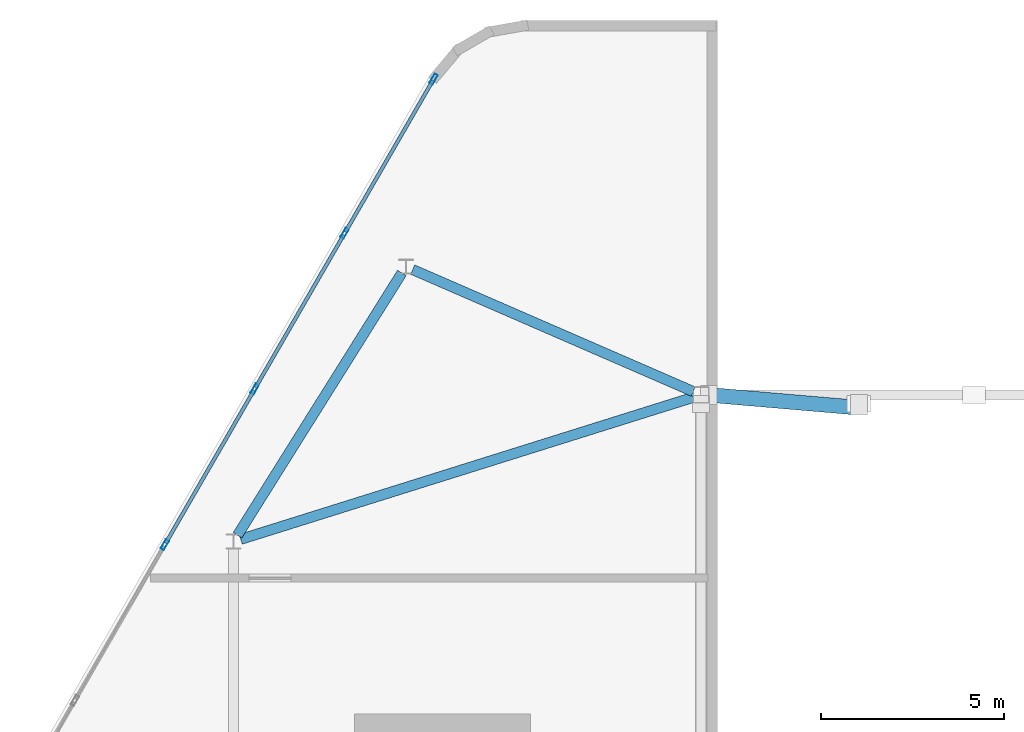
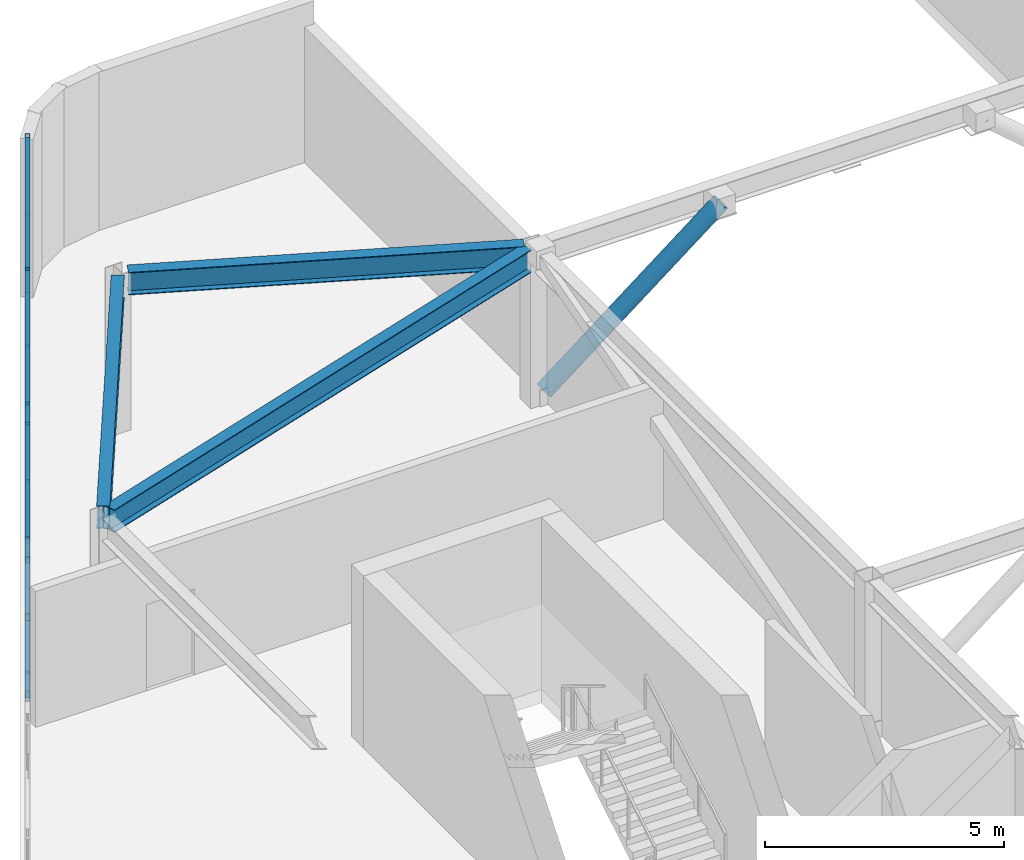
# One storey, part 10 of 16: 14 members, 3 beams, 1 element without a shape of its own.
"""IFC4 building model written with IfcOpenShell, lengths in metres."""

from ifc_helpers import new_model, si_unit, direction, frame, origin, origin_2d, place, context, subcontext, project, spatial, hollow_rectangle, hollow_circle, i_section, extrude, material, material_profile, profile_set, type_object, element, aggregate, save


model = new_model("IFC4")

# Units and contexts
model_context = context("Model", 3, precision=1e-05, world=origin(), true_north=direction((0.0, 1.0)))
body_context = subcontext(model_context, "Body", "Model", "MODEL_VIEW")
ifc_project = project(units=[si_unit("LENGTHUNIT", "METRE"), si_unit("AREAUNIT", "SQUARE_METRE"), si_unit("VOLUMEUNIT", "CUBIC_METRE"), si_unit("PLANEANGLEUNIT", "RADIAN"), si_unit("MASSUNIT", "GRAM", prefix="KILO")], contexts=[model_context])

# Site, building, storey
site_placement = place(None, origin())
site = spatial("IfcSite", under=ifc_project, at=site_placement, CompositionType="ELEMENT")
building_placement = place(site_placement, origin())
building = spatial("IfcBuilding", under=site, at=building_placement, Name="Zuhravey Tower", CompositionType="ELEMENT")
storey_placement = place(building_placement, frame((0.0, 0.0, 370.199951171875)))
storey = spatial("IfcBuildingStorey", under=building, at=storey_placement, Name="L94", CompositionType="ELEMENT", Elevation=370.199951171875)

# Curtain wall, members
ifc_material_1 = material(Name="Thermally broken anodised aluminium", Category="aluminium")
curtain_wall_type = type_object("IfcCurtainWallType", Name="Split-Top Crown Screened Curtain Wall CW6", PredefinedType="NOTDEFINED", material=ifc_material_1)
curtain_wall_placement = place(storey_placement, origin())
curtain_wall = element("IfcCurtainWall", 1, at=curtain_wall_placement, inside=storey, type_object=curtain_wall_type, Name="L94 CW6 CW6-L94-WEST-08", PredefinedType="NOTDEFINED")
ifc_material_2 = material(Name="Anodised aluminium", Category="aluminium")
ifc_material_profile_1 = material_profile(ifc_material_2, hollow_rectangle(XDim=0.10009765625, YDim=0.2900390625, WallThickness=0.006103515625, at=origin_2d()), Name="ALU-RHS-100x290x6")
ifc_profile_set_1 = profile_set([ifc_material_profile_1], Name="Anodised aluminium")
member_type_1 = type_object("IfcMemberType", Name="Heavy Tall-Storey Mullion 100x220", PredefinedType="MULLION", material=ifc_profile_set_1)
member_1_placement = place(storey_placement, frame((13.9248046875, 41.912841796875, 0.0), z_axis=(0.0, 0.0, 1.0), x_axis=(-0.866027063754, 0.499997124838, 0.0)))
member_1 = element("IfcMember", 2, at=member_1_placement, type_object=member_type_1, Name="CW6 mullion 3", PredefinedType="MULLION", context=body_context, shape_type="SweptSolid", body=[
    extrude(hollow_rectangle(XDim=0.10009765625, YDim=0.2900390625, WallThickness=0.006103515625, at=origin_2d()), origin(), (0.0, 0.0, 1.0), 4.050048828125),
])
member_2_placement = place(storey_placement, frame((16.377685546875, 46.161376953125, 0.0), z_axis=(0.0, 0.0, 1.0), x_axis=(-0.866027063754, 0.499997124838, 0.0)))
member_2 = element("IfcMember", 3, at=member_2_placement, type_object=member_type_1, Name="CW6 mullion 4", PredefinedType="MULLION", context=body_context, shape_type="SweptSolid", body=[
    extrude(hollow_rectangle(XDim=0.10009765625, YDim=0.2900390625, WallThickness=0.006103515625, at=origin_2d()), origin(), (0.0, 0.0, 1.0), 4.050048828125),
])
member_3_placement = place(storey_placement, frame((18.83056640625, 50.409912109375, 0.0), z_axis=(0.0, 0.0, 1.0), x_axis=(-0.866027063754, 0.499997124838, 0.0)))
member_3 = element("IfcMember", 4, at=member_3_placement, type_object=member_type_1, Name="CW6 mullion 5", PredefinedType="MULLION", context=body_context, shape_type="SweptSolid", body=[
    extrude(hollow_rectangle(XDim=0.10009765625, YDim=0.2900390625, WallThickness=0.006103515625, at=origin_2d()), origin(), (0.0, 0.0, 1.0), 4.050048828125),
])
member_4_placement = place(storey_placement, frame((21.258544921875, 54.615234375, 0.0), z_axis=(0.0, 0.0, 1.0), x_axis=(-0.866027063754, 0.499997124838, 0.0)))
member_4 = element("IfcMember", 5, at=member_4_placement, type_object=member_type_1, Name="CW6 mullion 6", PredefinedType="MULLION", context=body_context, shape_type="SweptSolid", body=[
    extrude(hollow_rectangle(XDim=0.10009765625, YDim=0.2900390625, WallThickness=0.006103515625, at=origin_2d()), origin(), (0.0, 0.0, 1.0), 4.050048828125),
])

# Beams
ifc_material_3 = material(Name="Steel SM355", Category="steel")
ifc_material_profile_2 = material_profile(ifc_material_3, i_section(OverallWidth=0.280029296875, OverallDepth=0.580078125, WebThickness=0.011962890625, FlangeThickness=0.01904296875, at=origin_2d()), Name="H-580x280x12x19")
ifc_profile_set_2 = profile_set([ifc_material_profile_2], Name="Steel SM355")
beam_type = type_object("IfcBeamType", Name="Perimeter Ring Beam H580x280", PredefinedType="BEAM", material=ifc_profile_set_2)
beam_1_placement = place(storey_placement, frame((15.908447265625, 42.1728515625, 3.760009765625), z_axis=(0.530996685116, 0.847373896457, 0.0), x_axis=(-0.847373896457, 0.530996685116, 0.0)))
element("IfcBeam", 6, at=beam_1_placement, inside=storey, type_object=beam_type, Name="L94 PB4 BM-L94-WCR-1-3", PredefinedType="BEAM", context=body_context, shape_type="SweptSolid", body=[
    extrude(i_section(OverallWidth=0.280029296875, OverallDepth=0.580078125, WebThickness=0.011962890625, FlangeThickness=0.01904296875, at=origin_2d()), origin(), (0.0, 0.0, 1.0), 8.44287109375),
])
beam_2_placement = place(storey_placement, frame((20.68701171875, 49.418701171875, 3.760009765625), z_axis=(0.91707145158, -0.398722902147, 0.0), x_axis=(0.398722902147, 0.91707145158, 0.0)))
element("IfcBeam", 7, at=beam_2_placement, inside=storey, type_object=beam_type, Name="L94 PB4 BM-L94-WCR-3-6", PredefinedType="BEAM", context=body_context, shape_type="SweptSolid", body=[
    extrude(i_section(OverallWidth=0.280029296875, OverallDepth=0.580078125, WebThickness=0.011962890625, FlangeThickness=0.01904296875, at=origin_2d()), origin(), (0.0, 0.0, 1.0), 8.34521484375),
])
beam_3_placement = place(storey_placement, frame((15.99462890625, 42.06103515625, 3.760009765625), z_axis=(0.954147439285, 0.299337040984, 0.0), x_axis=(-0.299337040984, 0.954147439285, 0.0)))
element("IfcBeam", 8, at=beam_3_placement, inside=storey, type_object=beam_type, Name="L94 PB4 BM-L94-WCR-1-6", PredefinedType="BEAM", context=body_context, shape_type="SweptSolid", body=[
    extrude(i_section(OverallWidth=0.280029296875, OverallDepth=0.580078125, WebThickness=0.011962890625, FlangeThickness=0.01904296875, at=origin_2d()), origin(), (0.0, 0.0, 1.0), 12.9296875),
])

# Member
ifc_material_profile_3 = material_profile(ifc_material_2, hollow_rectangle(XDim=0.10009765625, YDim=0.179931640625, WallThickness=0.006103515625, at=origin_2d()), Name="ALU-RHS-100x180x6")
ifc_profile_set_3 = profile_set([ifc_material_profile_3], Name="Anodised aluminium")
member_type_2 = type_object("IfcMemberType", Name="Tall-Storey Transom 100x180", PredefinedType="USERDEFINED", material=ifc_profile_set_3)
member_5_placement = place(storey_placement, frame((13.94970703125, 41.9560546875, 0.050048828125), z_axis=(0.50003466983, 0.866005386223, 0.0), x_axis=(-0.866005386223, 0.50003466983, 0.0)))
member_5 = element("IfcMember", 9, at=member_5_placement, type_object=member_type_2, Name="CW6 transom 3.1", ObjectType="TRANSOM", PredefinedType="USERDEFINED", context=body_context, shape_type="SweptSolid", body=[
    extrude(hollow_rectangle(XDim=0.10009765625, YDim=0.179931640625, WallThickness=0.006103515625, at=origin_2d()), origin(), (0.0, 0.0, 1.0), 4.805908203125),
])

member_6_placement = place(storey_placement, frame((13.94970703125, 41.9560546875, 2.025146484375), z_axis=(0.50003466983, 0.866005386223, 0.0), x_axis=(-0.866005386223, 0.50003466983, 0.0)))
member_6 = element("IfcMember", 10, at=member_6_placement, type_object=member_type_2, Name="CW6 transom 3.2", ObjectType="TRANSOM", PredefinedType="USERDEFINED", context=body_context, shape_type="SweptSolid", body=[
    extrude(hollow_rectangle(XDim=0.10009765625, YDim=0.179931640625, WallThickness=0.006103515625, at=origin_2d()), origin(), (0.0, 0.0, 1.0), 4.805908203125),
])

member_7_placement = place(storey_placement, frame((13.94970703125, 41.9560546875, 4.0), z_axis=(0.50003466983, 0.866005386223, 0.0), x_axis=(-0.866005386223, 0.50003466983, 0.0)))
member_7 = element("IfcMember", 11, at=member_7_placement, type_object=member_type_2, Name="CW6 transom 3.3", ObjectType="TRANSOM", PredefinedType="USERDEFINED", context=body_context, shape_type="SweptSolid", body=[
    extrude(hollow_rectangle(XDim=0.10009765625, YDim=0.179931640625, WallThickness=0.006103515625, at=origin_2d()), origin(), (0.0, 0.0, 1.0), 4.805908203125),
])

member_8_placement = place(storey_placement, frame((16.402587890625, 46.20458984375, 0.050048828125), z_axis=(0.500012672123, 0.866018087407, 0.0), x_axis=(-0.866018087407, 0.500012672123, 0.0)))
member_8 = element("IfcMember", 12, at=member_8_placement, type_object=member_type_2, Name="CW6 transom 4.1", ObjectType="TRANSOM", PredefinedType="USERDEFINED", context=body_context, shape_type="SweptSolid", body=[
    extrude(hollow_rectangle(XDim=0.10009765625, YDim=0.179931640625, WallThickness=0.006103515625, at=origin_2d()), origin(), (0.0, 0.0, 1.0), 4.80615234375),
])

member_9_placement = place(storey_placement, frame((16.402587890625, 46.20458984375, 2.025146484375), z_axis=(0.500012672123, 0.866018087407, 0.0), x_axis=(-0.866018087407, 0.500012672123, 0.0)))
member_9 = element("IfcMember", 13, at=member_9_placement, type_object=member_type_2, Name="CW6 transom 4.2", ObjectType="TRANSOM", PredefinedType="USERDEFINED", context=body_context, shape_type="SweptSolid", body=[
    extrude(hollow_rectangle(XDim=0.10009765625, YDim=0.179931640625, WallThickness=0.006103515625, at=origin_2d()), origin(), (0.0, 0.0, 1.0), 4.80615234375),
])

member_10_placement = place(storey_placement, frame((16.402587890625, 46.20458984375, 4.0), z_axis=(0.500012672123, 0.866018087407, 0.0), x_axis=(-0.866018087407, 0.500012672123, 0.0)))
member_10 = element("IfcMember", 14, at=member_10_placement, type_object=member_type_2, Name="CW6 transom 4.3", ObjectType="TRANSOM", PredefinedType="USERDEFINED", context=body_context, shape_type="SweptSolid", body=[
    extrude(hollow_rectangle(XDim=0.10009765625, YDim=0.179931640625, WallThickness=0.006103515625, at=origin_2d()), origin(), (0.0, 0.0, 1.0), 4.80615234375),
])

member_11_placement = place(storey_placement, frame((18.855712890625, 50.453125, 0.050048828125), z_axis=(0.499965384433, 0.866045388169, 0.0), x_axis=(-0.866045388169, 0.499965384433, 0.0)))
member_11 = element("IfcMember", 15, at=member_11_placement, type_object=member_type_2, Name="CW6 transom 5.1", ObjectType="TRANSOM", PredefinedType="USERDEFINED", context=body_context, shape_type="SweptSolid", body=[
    extrude(hollow_rectangle(XDim=0.10009765625, YDim=0.179931640625, WallThickness=0.006103515625, at=origin_2d()), origin(), (0.0, 0.0, 1.0), 4.755615234375),
])

member_12_placement = place(storey_placement, frame((18.855712890625, 50.453125, 2.025146484375), z_axis=(0.499965384433, 0.866045388169, 0.0), x_axis=(-0.866045388169, 0.499965384433, 0.0)))
member_12 = element("IfcMember", 16, at=member_12_placement, type_object=member_type_2, Name="CW6 transom 5.2", ObjectType="TRANSOM", PredefinedType="USERDEFINED", context=body_context, shape_type="SweptSolid", body=[
    extrude(hollow_rectangle(XDim=0.10009765625, YDim=0.179931640625, WallThickness=0.006103515625, at=origin_2d()), origin(), (0.0, 0.0, 1.0), 4.755615234375),
])

member_13_placement = place(storey_placement, frame((18.855712890625, 50.453125, 4.0), z_axis=(0.499965384433, 0.866045388169, 0.0), x_axis=(-0.866045388169, 0.499965384433, 0.0)))
member_13 = element("IfcMember", 17, at=member_13_placement, type_object=member_type_2, Name="CW6 transom 5.3", ObjectType="TRANSOM", PredefinedType="USERDEFINED", context=body_context, shape_type="SweptSolid", body=[
    extrude(hollow_rectangle(XDim=0.10009765625, YDim=0.179931640625, WallThickness=0.006103515625, at=origin_2d()), origin(), (0.0, 0.0, 1.0), 4.755615234375),
])

aggregate(curtain_wall, [member_1, member_2, member_3, member_4, member_5, member_6, member_7, member_8, member_9, member_10, member_11, member_12, member_13])

ifc_material_profile_4 = material_profile(ifc_material_3, hollow_circle(Radius=0.203125, WallThickness=0.02001953125, at=origin_2d()), Name="CHS-406.4x20")
ifc_profile_set_4 = profile_set([ifc_material_profile_4], Name="Steel SM355")
member_type_3 = type_object("IfcMemberType", Name="Wind-Portal Arch Brace CHS406x20", PredefinedType="BRACE", material=ifc_profile_set_4)
member_14_placement = place(storey_placement, frame((28.780517578125, 45.999755859375, 0.181396484375), z_axis=(0.747122272379, -0.063852005514, 0.661612599265), x_axis=(0.085153511528, 0.996367843457, 0.0)))
element("IfcMember", 18, at=member_14_placement, inside=storey, type_object=member_type_3, Name="L94 Wind-Portal Arch Brace WPB1-3W", PredefinedType="BRACE", context=body_context, shape_type="SweptSolid", body=[
    extrude(hollow_circle(Radius=0.203125, WallThickness=0.02001953125, at=origin_2d()), origin(), (0.0, 0.0, 1.0), 5.44482421875),
])

save(model, "model.ifc")
